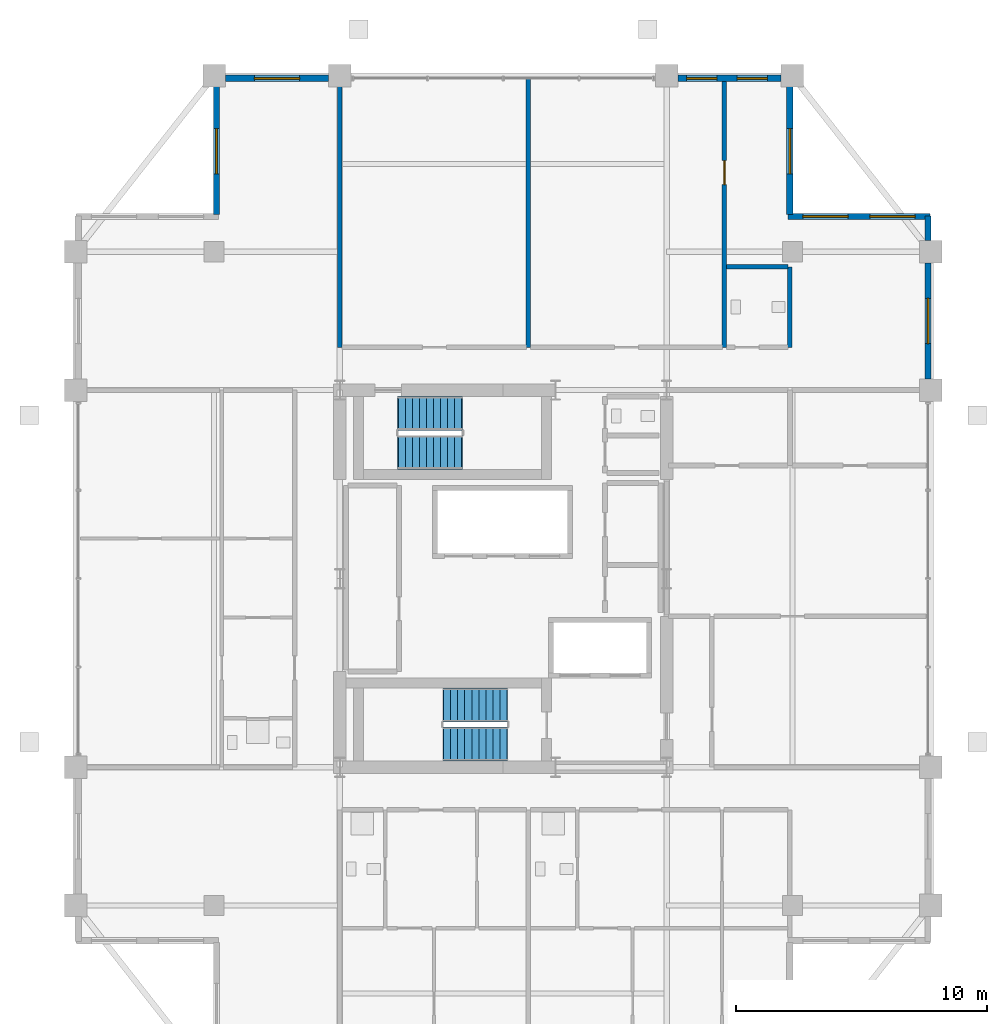
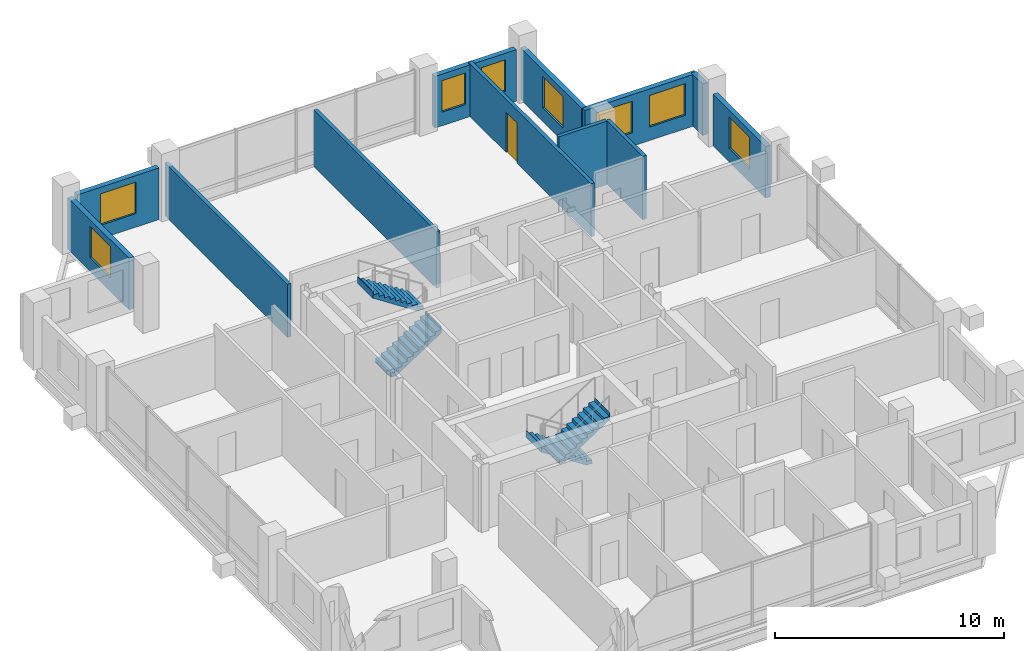
# One storey, part 19 of 21: 12 walls, 8 windows, 4 stair flights, 1 door, 9 openings, 2 elements without a shape of their own.
"""IFC4 building model written with IfcOpenShell, lengths in metres."""

import ifcopenshell
import ifcopenshell.guid

model = None  # the IFC model being written
_history = None  # IfcOwnerHistory: only IFC2X3 demands one
_inside = {}  # id of a spatial element -> (the spatial element, [elements in it])
_under = {}  # id of a project, library or spatial element -> (it, [spatial elements below it])
_declared = {}  # id of a project -> (the project, [libraries it declares])
_typed = {}  # id of a type object -> (the type object, [elements of that type])
_made_of = {}  # id of a material, layer set ... -> (it, [elements and type objects made of it])


def new_model(schema):
    """Start an empty IFC model of exactly this schema.

    Asked for "IFC4X3", IfcOpenShell would pick the latest addendum, in which some entities
    have other attributes; the version numbers below select the first issue.
    IFC2X3 requires an IfcOwnerHistory on every rooted entity: one is made here for all.
    """
    global model, _history
    if schema == "IFC4X3":
        model = ifcopenshell.file(schema_version=(4, 3, 0, 0))
    else:
        model = ifcopenshell.file(schema=schema)
    _inside.clear()
    _under.clear()
    _declared.clear()
    _typed.clear()
    _made_of.clear()
    _history = None
    if model.schema == "IFC2X3":
        org = make("IfcOrganization", Name="unknown")
        user = make(
            "IfcPersonAndOrganization",
            ThePerson=make("IfcPerson", FamilyName="unknown"),
            TheOrganization=org,
        )
        app = make(
            "IfcApplication",
            ApplicationDeveloper=org,
            Version="unknown",
            ApplicationFullName="unknown",
            ApplicationIdentifier="unknown",
        )
        _history = make(
            "IfcOwnerHistory",
            OwningUser=user,
            OwningApplication=app,
            ChangeAction="ADDED",
            CreationDate=0,
        )
    return model


def make(cls, **values):
    """One entity of the class cls with the attributes given. An attribute that is None is left unset."""
    return model.create_entity(
        cls, **{name: value for name, value in values.items() if value is not None}
    )


def rooted(cls, **values):
    """An entity with a GlobalId (a new one), such as an element, a storey or a relation."""
    return make(cls, GlobalId=ifcopenshell.guid.new(), OwnerHistory=_history, **values)


def si_unit(unit_type, name, prefix=None):
    """IfcSIUnit, for example si_unit("LENGTHUNIT", "METRE", prefix="MILLI")."""
    return make("IfcSIUnit", UnitType=unit_type, Prefix=prefix, Name=name)


def assignment(units):
    """IfcUnitAssignment: the units of a project."""
    return None if units is None else make("IfcUnitAssignment", Units=units)


def point(xyz):
    """IfcCartesianPoint."""
    return None if xyz is None else make("IfcCartesianPoint", Coordinates=xyz)


def direction(xyz):
    """IfcDirection."""
    return None if xyz is None else make("IfcDirection", DirectionRatios=xyz)


def frame(location, z_axis=None, x_axis=None):
    """IfcAxis2Placement3D, a coordinate frame: its origin and axes. An axis left out is left unset."""
    return make(
        "IfcAxis2Placement3D",
        Location=point(location),
        Axis=direction(z_axis),
        RefDirection=direction(x_axis),
    )


def frame_2d(location, x_axis=None):
    """IfcAxis2Placement2D, a coordinate frame in the plane: its origin and x axis."""
    return make(
        "IfcAxis2Placement2D", Location=point(location), RefDirection=direction(x_axis)
    )


def origin():
    """The frame at (0, 0, 0) with its axes left unset."""
    return frame((0.0, 0.0, 0.0))


def place(relative_to, where):
    """IfcLocalPlacement: puts the frame where relative to a parent placement (None: the world)."""
    return make(
        "IfcLocalPlacement", PlacementRelTo=relative_to, RelativePlacement=where
    )


def context(
    kind, dimensions, precision=None, world=None, true_north=None, identifier=None
):
    """IfcGeometricRepresentationContext, for example the 3D "Model" context."""
    return make(
        "IfcGeometricRepresentationContext",
        ContextIdentifier=identifier,
        ContextType=kind,
        CoordinateSpaceDimension=dimensions,
        Precision=precision,
        WorldCoordinateSystem=world,
        TrueNorth=true_north,
    )


def subcontext(parent, identifier, kind, view, scale=None):
    """IfcGeometricRepresentationSubContext, for example "Body" below "Model"."""
    return make(
        "IfcGeometricRepresentationSubContext",
        ContextIdentifier=identifier,
        ContextType=kind,
        ParentContext=parent,
        TargetScale=scale,
        TargetView=view,
    )


def project(units=None, contexts=None):
    """IfcProject with its units and contexts."""
    return rooted(
        "IfcProject",
        Name="project",
        RepresentationContexts=contexts,
        UnitsInContext=assignment(units),
    )


def spatial(cls, under=None, at=None, **own):
    """A site, building, storey or space (cls), placed at a placement, below another one or the project."""
    s = rooted(cls, ObjectPlacement=at, **own)
    if under is not None:
        _under.setdefault(under.id(), (under, []))[1].append(s)
    return s


def polyline(points):
    """IfcPolyline through the points."""
    return make("IfcPolyline", Points=[point(p) for p in points])


def profile(cls, at=None, kind="AREA", **sizes):
    """A parametric profile (cls). Its sizes go by their IFC names, for example OverallWidth=200.0."""
    return make(cls, ProfileType=kind, Position=at, **sizes)


def rectangle(**sizes):
    """IfcRectangleProfileDef."""
    return profile("IfcRectangleProfileDef", **sizes)


def outline(outer, holes=None, kind="AREA"):
    """IfcArbitraryClosedProfileDef: a profile drawn as a closed curve; with holes, ...WithVoids."""
    if holes is None:
        return make("IfcArbitraryClosedProfileDef", ProfileType=kind, OuterCurve=outer)
    return make(
        "IfcArbitraryProfileDefWithVoids",
        ProfileType=kind,
        OuterCurve=outer,
        InnerCurves=holes,
    )


def extrude(swept, where, along, depth):
    """IfcExtrudedAreaSolid: the profile swept, set in the frame where, extruded along a direction by depth."""
    return make(
        "IfcExtrudedAreaSolid",
        SweptArea=swept,
        Position=where,
        ExtrudedDirection=direction(along),
        Depth=depth,
    )


def shape(context_of_items, identifier, shape_type, items):
    """IfcShapeRepresentation: the items that make up one representation, for example the "Body"."""
    return make(
        "IfcShapeRepresentation",
        ContextOfItems=context_of_items,
        RepresentationIdentifier=identifier,
        RepresentationType=shape_type,
        Items=items,
    )


def material(Name=None, Category=None):
    """IfcMaterial."""
    return make("IfcMaterial", Name=Name, Category=Category)


def layer(
    of_material, thickness, ventilated=None, Name=None, Category=None, Priority=None
):
    """IfcMaterialLayer: one layer of a wall or slab, of a material (None: an air gap)."""
    return make(
        "IfcMaterialLayer",
        Material=of_material,
        LayerThickness=thickness,
        IsVentilated=ventilated,
        Name=Name,
        Category=Category,
        Priority=Priority,
    )


def layer_set(layers, Name=None):
    """IfcMaterialLayerSet."""
    return make("IfcMaterialLayerSet", MaterialLayers=layers, LayerSetName=Name)


def made_of(thing, what):
    """Note that an element or type object is made of a material, layer set ...; save() writes the relation."""
    if what is not None:
        _made_of.setdefault(what.id(), (what, []))[1].append(thing)
    return thing


def type_object(cls, material=None, **own):
    """A type object (cls), such as IfcWallType, which elements share."""
    return made_of(rooted(cls, **own), material)


def element(
    cls,
    number,
    at=None,
    inside=None,
    cuts=None,
    type_object=None,
    material=None,
    context=None,
    identifier="Body",
    shape_type=None,
    held_by="IfcProductDefinitionShape",
    body=None,
    shapes=None,
    **own,
):
    """One element of the class cls, such as IfcWall. Its Tag is "e" and its number.

    at: its placement. inside: the storey or other place that contains it. cuts: it is an
    opening in that element (IfcRelVoidsElement). A single representation is given by context,
    identifier, shape_type and body (its items); several are given by shapes. held_by: the class
    of the entity that holds the representations. save() writes the other relations.
    """
    e = rooted(cls, Tag="e%d" % number, ObjectPlacement=at, **own)
    if body is not None:
        shapes = [shape(context, identifier, shape_type, body)]
    if shapes is not None:
        e.Representation = make(held_by, Representations=shapes)
    if inside is not None:
        _inside.setdefault(inside.id(), (inside, []))[1].append(e)
    if cuts is not None:
        rooted(
            "IfcRelVoidsElement", RelatingBuildingElement=cuts, RelatedOpeningElement=e
        )
    if type_object is not None:
        _typed.setdefault(type_object.id(), (type_object, []))[1].append(e)
    return made_of(e, material)


def fill(opening, filler):
    """IfcRelFillsElement: the door or window that sits in an opening."""
    return rooted(
        "IfcRelFillsElement",
        RelatingOpeningElement=opening,
        RelatedBuildingElement=filler,
    )


def aggregate(whole, parts):
    """IfcRelAggregates: a whole, such as a stair, and the parts it consists of."""
    return rooted("IfcRelAggregates", RelatingObject=whole, RelatedObjects=parts)


def save(model, path):
    """Write the relations noted so far, then the file.

    IfcRelAggregates (storeys below a building ...), IfcRelContainedInSpatialStructure (elements
    in a storey), IfcRelDefinesByType, IfcRelAssociatesMaterial and IfcRelDeclares: one each for
    every whole, place, type object, material and project.
    """
    for whole, parts in _under.values():
        aggregate(whole, parts)
    for where, things in _inside.values():
        rooted(
            "IfcRelContainedInSpatialStructure",
            RelatedElements=things,
            RelatingStructure=where,
        )
    for kind, things in _typed.values():
        rooted("IfcRelDefinesByType", RelatedObjects=things, RelatingType=kind)
    for what, things in _made_of.values():
        rooted("IfcRelAssociatesMaterial", RelatedObjects=things, RelatingMaterial=what)
    for by, libraries in _declared.values():
        rooted("IfcRelDeclares", RelatingContext=by, RelatedDefinitions=libraries)
    model.write(path)


model = new_model("IFC4")

# Units and contexts
model_context = context("Model", 3, precision=1e-05, world=origin(), true_north=direction((0.0, 1.0)))
body_context = subcontext(model_context, "Body", "Model", "MODEL_VIEW")
ifc_project = project(units=[si_unit("LENGTHUNIT", "METRE"), si_unit("AREAUNIT", "SQUARE_METRE"), si_unit("VOLUMEUNIT", "CUBIC_METRE"), si_unit("PLANEANGLEUNIT", "RADIAN"), si_unit("MASSUNIT", "GRAM", prefix="KILO")], contexts=[model_context])

# Site, building, storey
site_placement = place(None, origin())
site = spatial("IfcSite", under=ifc_project, at=site_placement, CompositionType="ELEMENT")
building_placement = place(site_placement, origin())
building = spatial("IfcBuilding", under=site, at=building_placement, Name="Barlavira Tower and Art Museum", CompositionType="ELEMENT")
storey_placement = place(building_placement, frame((0.0, 0.0, 297.89990234375)))
storey = spatial("IfcBuildingStorey", under=building, at=storey_placement, Name="L78", CompositionType="ELEMENT", Elevation=297.89990234375)

# Walls
ifc_material_1 = material(Name="Gypsum acoustic stud partition", Category="gypsum")
ifc_layer_1 = layer(ifc_material_1, 0.179931640625, Name="Gypsum acoustic stud partition")
ifc_layer_set_1 = layer_set([ifc_layer_1], Name="Gypsum acoustic stud partition")
wall_type_1 = type_object("IfcWallType", Name="Inter-Tenancy Party Partition Wall 180", PredefinedType="PARTITIONING", material=ifc_layer_set_1)
wall_1_placement = place(storey_placement, frame((-6.5, 9.199951171875, 0.0), z_axis=(0.0, 0.0, 1.0), x_axis=(0.0, 1.0, 0.0)))
element("IfcWall", 1, at=wall_1_placement, inside=storey, type_object=wall_type_1, Name="L78 Partition Wall 4", PredefinedType="PARTITIONING", context=body_context, shape_type="SweptSolid", body=[
    extrude(rectangle(XDim=10.699951171875, YDim=0.179931640625, at=frame_2d((5.35009765625, 0.0))), origin(), (0.0, 0.0, 1.0), 2.826171875),
])
wall_2_placement = place(storey_placement, frame((1.0, 9.199951171875, 0.0), z_axis=(0.0, 0.0, 1.0), x_axis=(0.0, 1.0, 0.0)))
element("IfcWall", 2, at=wall_2_placement, inside=storey, type_object=wall_type_1, Name="L78 Partition Wall 11", PredefinedType="PARTITIONING", context=body_context, shape_type="SweptSolid", body=[
    extrude(rectangle(XDim=10.699951171875, YDim=0.179931640625, at=frame_2d((5.35009765625, 0.0))), origin(), (0.0, 0.0, 1.0), 3.01806640625),
])

# Wall, opening, door
wall_3_placement = place(storey_placement, frame((8.800048828125, 9.199951171875, 0.0), z_axis=(0.0, 0.0, 1.0), x_axis=(0.0, 1.0, 0.0)))
wall_3 = element("IfcWall", 3, at=wall_3_placement, inside=storey, type_object=wall_type_1, Name="L78 Partition Wall 20", PredefinedType="PARTITIONING", context=body_context, shape_type="SweptSolid", body=[
    extrude(rectangle(XDim=10.699951171875, YDim=0.179931640625, at=frame_2d((5.35009765625, 0.0))), origin(), (0.0, 0.0, 1.0), 2.826171875),
])
opening_1_placement = place(wall_3_placement, frame((6.47509765625, 0.0, 0.0)))
opening_1 = element("IfcOpeningElement", 4, at=opening_1_placement, cuts=wall_3, Name="Opening FD-60", PredefinedType="OPENING", context=body_context, shape_type="SweptSolid", body=[
    extrude(rectangle(XDim=0.949951171875, YDim=2.14990234375, at=frame_2d((0.47509765625, 1.074951171875))), frame((0.0, 0.10009765625, 0.0), z_axis=(0.0, -1.0, 0.0), x_axis=(1.0, 0.0, 0.0)), (0.0, 0.0, 1.0), 0.199951171875),
])
ifc_material_2 = material(Name="Brushed stainless steel", Category="steel")
door_type = type_object("IfcDoorType", Name="Apartment Entrance and Riser Fire Door 950x2150 FD60S", OperationType="NOTDEFINED", PredefinedType="DOOR", material=ifc_material_2)
door_placement = place(opening_1_placement, origin())
door = element("IfcDoor", 5, at=door_placement, inside=storey, type_object=door_type, Name="Thermal Relaxation Lounge Door", OperationType="SINGLE_SWING_LEFT", OverallHeight=2.14990234375, OverallWidth=0.949951171875, PredefinedType="DOOR", context=body_context, shape_type="SweptSolid", body=[
    extrude(rectangle(XDim=0.949951171875, YDim=2.14990234375, at=frame_2d((0.47509765625, 1.074951171875))), frame((0.0, 0.02490234375, 0.0), z_axis=(0.0, -1.0, 0.0), x_axis=(1.0, 0.0, 0.0)), (0.0, 0.0, 1.0), 0.050048828125),
])
fill(opening_1, door)

# Walls
wall_4_placement = place(storey_placement, frame((11.39990234375, 9.199951171875, 0.0), z_axis=(0.0, 0.0, 1.0), x_axis=(0.0, 1.0, 0.0)))
element("IfcWall", 6, at=wall_4_placement, inside=storey, type_object=wall_type_1, Name="L78 Partition Wall 23", PredefinedType="PARTITIONING", context=body_context, shape_type="SweptSolid", body=[
    extrude(rectangle(XDim=3.199951171875, YDim=0.179931640625, at=frame_2d((1.60009765625, 0.0))), origin(), (0.0, 0.0, 1.0), 3.380126953125),
])
wall_5_placement = place(storey_placement, frame((8.8798828125, 12.39990234375, 0.0), z_axis=(0.0, 0.0, 1.0), x_axis=(1.0, 0.0, 0.0)))
element("IfcWall", 7, at=wall_5_placement, inside=storey, type_object=wall_type_1, Name="L78 Partition Wall 63", PredefinedType="PARTITIONING", context=body_context, shape_type="SweptSolid", body=[
    extrude(rectangle(XDim=2.440185546875, YDim=0.179931640625, at=frame_2d((1.22021484375, 0.0))), origin(), (0.0, 0.0, 1.0), 3.380126953125),
])

# Wall, openings, windows
ifc_material_3 = material(Name="Precast concrete C40", Category="concrete")
ifc_layer_2 = layer(ifc_material_3, 0.25, Name="Precast concrete C40")
ifc_layer_set_2 = layer_set([ifc_layer_2], Name="Precast concrete C40")
wall_type_2 = type_object("IfcWallType", Name="Notched Corner Spandrel Wall 250 Precast Concrete C40", PredefinedType="SOLIDWALL", material=ifc_layer_set_2)
wall_6_placement = place(storey_placement, frame((11.054931640625, 19.89990234375, 0.0), z_axis=(0.0, 0.0, 1.0), x_axis=(-1.0, 0.0, 0.0)))
wall_6 = element("IfcWall", 8, at=wall_6_placement, inside=storey, type_object=wall_type_2, Name="L78 Coastal Facade Pier Wall CW4-L78-N-1", PredefinedType="SOLIDWALL", context=body_context, shape_type="SweptSolid", body=[
    extrude(rectangle(XDim=4.10986328125, YDim=0.25, at=frame_2d((2.054931640625, 0.0))), origin(), (0.0, 0.0, 1.0), 2.748046875),
])
opening_2_placement = place(wall_6_placement, frame((0.550048828125, 0.0, 0.719970703125)))
opening_2 = element("IfcOpeningElement", 9, at=opening_2_placement, cuts=wall_6, Name="Opening WN-05", PredefinedType="OPENING", context=body_context, shape_type="SweptSolid", body=[
    extrude(rectangle(XDim=1.199951171875, YDim=1.679931640625, at=frame_2d((0.60009765625, 0.83984375))), frame((0.0, 0.135009765625, 0.0), z_axis=(0.0, -1.0, 0.0), x_axis=(1.0, 0.0, 0.0)), (0.0, 0.0, 1.0), 0.27001953125),
])
opening_3_placement = place(wall_6_placement, frame((2.56005859375, 0.0, 0.719970703125)))
opening_3 = element("IfcOpeningElement", 10, at=opening_3_placement, cuts=wall_6, Name="Opening WN-05", PredefinedType="OPENING", context=body_context, shape_type="SweptSolid", body=[
    extrude(rectangle(XDim=1.199951171875, YDim=1.679931640625, at=frame_2d((0.60009765625, 0.83984375))), frame((0.0, 0.135009765625, 0.0), z_axis=(0.0, -1.0, 0.0), x_axis=(1.0, 0.0, 0.0)), (0.0, 0.0, 1.0), 0.27001953125),
])
ifc_material_4 = material(Name="Low-iron coastal laminated glass", Category="glass")
window_type_1 = type_object("IfcWindowType", Name="Recessed Flank Pier Punch Window 1200x1680", PartitioningType="SINGLE_PANEL", PredefinedType="WINDOW", material=ifc_material_4)
window_1_placement = place(opening_2_placement, origin())
window_1 = element("IfcWindow", 11, at=window_1_placement, inside=storey, type_object=window_type_1, Name="L78 Punched Facade Window EWP-CW4-L78-N-1-1", OverallHeight=1.679931640625, OverallWidth=1.199951171875, PartitioningType="SINGLE_PANEL", PredefinedType="WINDOW", context=body_context, shape_type="SweptSolid", body=[
    extrude(rectangle(XDim=1.199951171875, YDim=1.679931640625, at=frame_2d((0.60009765625, 0.83984375))), frame((0.0, 0.030029296875, 0.0), z_axis=(0.0, -1.0, 0.0), x_axis=(1.0, 0.0, 0.0)), (0.0, 0.0, 1.0), 0.06005859375),
])
fill(opening_2, window_1)
window_2_placement = place(opening_3_placement, origin())
window_2 = element("IfcWindow", 12, at=window_2_placement, inside=storey, type_object=window_type_1, Name="L78 Punched Facade Window EWP-CW4-L78-N-1-2", OverallHeight=1.679931640625, OverallWidth=1.199951171875, PartitioningType="SINGLE_PANEL", PredefinedType="WINDOW", context=body_context, shape_type="SweptSolid", body=[
    extrude(rectangle(XDim=1.199951171875, YDim=1.679931640625, at=frame_2d((0.60009765625, 0.83984375))), frame((0.0, 0.030029296875, 0.0), z_axis=(0.0, -1.0, 0.0), x_axis=(1.0, 0.0, 0.0)), (0.0, 0.0, 1.0), 0.06005859375),
])
fill(opening_3, window_2)

# Wall, opening, window
wall_7_placement = place(storey_placement, frame((-6.945068359375, 19.89990234375, 0.0), z_axis=(0.0, 0.0, 1.0), x_axis=(-1.0, 0.0, 0.0)))
wall_7 = element("IfcWall", 13, at=wall_7_placement, inside=storey, type_object=wall_type_2, Name="L78 Coastal Facade Pier Wall CW4-L78-N-3", PredefinedType="SOLIDWALL", context=body_context, shape_type="SweptSolid", body=[
    extrude(rectangle(XDim=4.10986328125, YDim=0.25, at=frame_2d((2.054931640625, 0.0))), origin(), (0.0, 0.0, 1.0), 2.748046875),
])
opening_4_placement = place(wall_7_placement, frame((1.155029296875, 0.0, 0.719970703125)))
opening_4 = element("IfcOpeningElement", 14, at=opening_4_placement, cuts=wall_7, Name="Opening WN-01", PredefinedType="OPENING", context=body_context, shape_type="SweptSolid", body=[
    extrude(rectangle(XDim=1.800048828125, YDim=1.679931640625, at=frame_2d((0.89990234375, 0.83984375))), frame((0.0, 0.135009765625, 0.0), z_axis=(0.0, -1.0, 0.0), x_axis=(1.0, 0.0, 0.0)), (0.0, 0.0, 1.0), 0.27001953125),
])
window_type_2 = type_object("IfcWindowType", Name="Recessed Notch Corner Punch Window 1800x1680", PartitioningType="SINGLE_PANEL", PredefinedType="WINDOW", material=ifc_material_4)
window_3_placement = place(opening_4_placement, origin())
window_3 = element("IfcWindow", 15, at=window_3_placement, inside=storey, type_object=window_type_2, Name="L78 Punched Facade Window EWP-CW4-L78-N-3-1", OverallHeight=1.679931640625, OverallWidth=1.800048828125, PartitioningType="SINGLE_PANEL", PredefinedType="WINDOW", context=body_context, shape_type="SweptSolid", body=[
    extrude(rectangle(XDim=1.800048828125, YDim=1.679931640625, at=frame_2d((0.89990234375, 0.83984375))), frame((0.0, 0.030029296875, 0.0), z_axis=(0.0, -1.0, 0.0), x_axis=(1.0, 0.0, 0.0)), (0.0, 0.0, 1.0), 0.06005859375),
])
fill(opening_4, window_3)

wall_8_placement = place(storey_placement, frame((16.89990234375, 7.945068359375, 0.0), z_axis=(0.0, 0.0, 1.0), x_axis=(0.0, 1.0, 0.0)))
wall_8 = element("IfcWall", 16, at=wall_8_placement, inside=storey, type_object=wall_type_2, Name="L78 Coastal Facade Pier Wall CW4-L78-E-4", PredefinedType="SOLIDWALL", context=body_context, shape_type="SweptSolid", body=[
    extrude(rectangle(XDim=4.60986328125, YDim=0.25, at=frame_2d((2.304931640625, 0.0))), origin(), (0.0, 0.0, 1.0), 2.748046875),
])
opening_5_placement = place(wall_8_placement, frame((1.405029296875, 0.0, 0.719970703125)))
opening_5 = element("IfcOpeningElement", 17, at=opening_5_placement, cuts=wall_8, Name="Opening WN-01", PredefinedType="OPENING", context=body_context, shape_type="SweptSolid", body=[
    extrude(rectangle(XDim=1.800048828125, YDim=1.679931640625, at=frame_2d((0.89990234375, 0.83984375))), frame((0.0, 0.135009765625, 0.0), z_axis=(0.0, -1.0, 0.0), x_axis=(1.0, 0.0, 0.0)), (0.0, 0.0, 1.0), 0.27001953125),
])
window_4_placement = place(opening_5_placement, origin())
window_4 = element("IfcWindow", 18, at=window_4_placement, inside=storey, type_object=window_type_2, Name="L78 Punched Facade Window EWP-CW4-L78-E-4-1", OverallHeight=1.679931640625, OverallWidth=1.800048828125, PartitioningType="SINGLE_PANEL", PredefinedType="WINDOW", context=body_context, shape_type="SweptSolid", body=[
    extrude(rectangle(XDim=1.800048828125, YDim=1.679931640625, at=frame_2d((0.89990234375, 0.83984375))), frame((0.0, 0.030029296875, 0.0), z_axis=(0.0, -1.0, 0.0), x_axis=(1.0, 0.0, 0.0)), (0.0, 0.0, 1.0), 0.06005859375),
])
fill(opening_5, window_4)

# Wall
wall_9_placement = place(storey_placement, frame((16.89990234375, 13.445068359375, 0.0), z_axis=(0.0, 0.0, 1.0), x_axis=(0.0, 1.0, 0.0)))
element("IfcWall", 19, at=wall_9_placement, inside=storey, type_object=wall_type_2, Name="L78 Coastal Facade Pier Wall CW4-L78-E-5", PredefinedType="SOLIDWALL", context=body_context, shape_type="SweptSolid", body=[
    extrude(rectangle(XDim=0.97998046875, YDim=0.25, at=frame_2d((0.489990234375, 0.0))), origin(), (0.0, 0.0, 1.0), 2.748046875),
])

# Wall, openings, windows
wall_10_placement = place(storey_placement, frame((16.97998046875, 14.39990234375, 0.0), z_axis=(0.0, 0.0, 1.0), x_axis=(-1.0, 0.0, 0.0)))
wall_10 = element("IfcWall", 20, at=wall_10_placement, inside=storey, type_object=wall_type_2, Name="L78 Notch Corner Wall NE1", PredefinedType="SOLIDWALL", context=body_context, shape_type="SweptSolid", body=[
    extrude(rectangle(XDim=5.659912109375, YDim=0.25, at=frame_2d((2.830078125, 0.0))), origin(), (0.0, 0.0, 1.0), 2.748046875),
])
opening_6_placement = place(wall_10_placement, frame((0.594970703125, 0.0, 0.719970703125)))
opening_6 = element("IfcOpeningElement", 21, at=opening_6_placement, cuts=wall_10, Name="Opening WN-01", PredefinedType="OPENING", context=body_context, shape_type="SweptSolid", body=[
    extrude(rectangle(XDim=1.800048828125, YDim=1.679931640625, at=frame_2d((0.89990234375, 0.83984375))), frame((0.0, 0.135009765625, 0.0), z_axis=(0.0, -1.0, 0.0), x_axis=(1.0, 0.0, 0.0)), (0.0, 0.0, 1.0), 0.27001953125),
])
opening_7_placement = place(wall_10_placement, frame((3.264892578125, 0.0, 0.719970703125)))
opening_7 = element("IfcOpeningElement", 22, at=opening_7_placement, cuts=wall_10, Name="Opening WN-01", PredefinedType="OPENING", context=body_context, shape_type="SweptSolid", body=[
    extrude(rectangle(XDim=1.800048828125, YDim=1.679931640625, at=frame_2d((0.89990234375, 0.83984375))), frame((0.0, 0.135009765625, 0.0), z_axis=(0.0, -1.0, 0.0), x_axis=(1.0, 0.0, 0.0)), (0.0, 0.0, 1.0), 0.27001953125),
])
window_5_placement = place(opening_6_placement, origin())
window_5 = element("IfcWindow", 23, at=window_5_placement, inside=storey, type_object=window_type_2, Name="L78 Punched Facade Window EW-NTC-L78-NE1-1", OverallHeight=1.679931640625, OverallWidth=1.800048828125, PartitioningType="SINGLE_PANEL", PredefinedType="WINDOW", context=body_context, shape_type="SweptSolid", body=[
    extrude(rectangle(XDim=1.800048828125, YDim=1.679931640625, at=frame_2d((0.89990234375, 0.83984375))), frame((0.0, 0.030029296875, 0.0), z_axis=(0.0, -1.0, 0.0), x_axis=(1.0, 0.0, 0.0)), (0.0, 0.0, 1.0), 0.06005859375),
])
fill(opening_6, window_5)
window_6_placement = place(opening_7_placement, origin())
window_6 = element("IfcWindow", 24, at=window_6_placement, inside=storey, type_object=window_type_2, Name="L78 Punched Facade Window EW-NTC-L78-NE1-2", OverallHeight=1.679931640625, OverallWidth=1.800048828125, PartitioningType="SINGLE_PANEL", PredefinedType="WINDOW", context=body_context, shape_type="SweptSolid", body=[
    extrude(rectangle(XDim=1.800048828125, YDim=1.679931640625, at=frame_2d((0.89990234375, 0.83984375))), frame((0.0, 0.030029296875, 0.0), z_axis=(0.0, -1.0, 0.0), x_axis=(1.0, 0.0, 0.0)), (0.0, 0.0, 1.0), 0.06005859375),
])
fill(opening_7, window_6)

# Wall, opening, window
wall_11_placement = place(storey_placement, frame((11.39990234375, 14.47998046875, 0.0), z_axis=(0.0, 0.0, 1.0), x_axis=(0.0, 1.0, 0.0)))
wall_11 = element("IfcWall", 25, at=wall_11_placement, inside=storey, type_object=wall_type_2, Name="L78 Notch Corner Wall NE2", PredefinedType="SOLIDWALL", context=body_context, shape_type="SweptSolid", body=[
    extrude(rectangle(XDim=5.340087890625, YDim=0.25, at=frame_2d((2.669921875, 0.0))), origin(), (0.0, 0.0, 1.0), 2.748046875),
])
opening_8_placement = place(wall_11_placement, frame((1.614990234375, 0.0, 0.719970703125)))
opening_8 = element("IfcOpeningElement", 26, at=opening_8_placement, cuts=wall_11, Name="Opening WN-01", PredefinedType="OPENING", context=body_context, shape_type="SweptSolid", body=[
    extrude(rectangle(XDim=1.800048828125, YDim=1.679931640625, at=frame_2d((0.89990234375, 0.83984375))), frame((0.0, 0.135009765625, 0.0), z_axis=(0.0, -1.0, 0.0), x_axis=(1.0, 0.0, 0.0)), (0.0, 0.0, 1.0), 0.27001953125),
])
window_7_placement = place(opening_8_placement, origin())
window_7 = element("IfcWindow", 27, at=window_7_placement, inside=storey, type_object=window_type_2, Name="L78 Punched Facade Window EW-NTC-L78-NE2-1", OverallHeight=1.679931640625, OverallWidth=1.800048828125, PartitioningType="SINGLE_PANEL", PredefinedType="WINDOW", context=body_context, shape_type="SweptSolid", body=[
    extrude(rectangle(XDim=1.800048828125, YDim=1.679931640625, at=frame_2d((0.89990234375, 0.83984375))), frame((0.0, 0.030029296875, 0.0), z_axis=(0.0, -1.0, 0.0), x_axis=(1.0, 0.0, 0.0)), (0.0, 0.0, 1.0), 0.06005859375),
])
fill(opening_8, window_7)

wall_12_placement = place(storey_placement, frame((-11.39990234375, 19.820068359375, 0.0), z_axis=(0.0, 0.0, 1.0), x_axis=(0.0, -1.0, 0.0)))
wall_12 = element("IfcWall", 28, at=wall_12_placement, inside=storey, type_object=wall_type_2, Name="L78 Notch Corner Wall NW1", PredefinedType="SOLIDWALL", context=body_context, shape_type="SweptSolid", body=[
    extrude(rectangle(XDim=5.340087890625, YDim=0.25, at=frame_2d((2.669921875, 0.0))), origin(), (0.0, 0.0, 1.0), 2.748046875),
])
opening_9_placement = place(wall_12_placement, frame((1.925048828125, 0.0, 0.719970703125)))
opening_9 = element("IfcOpeningElement", 29, at=opening_9_placement, cuts=wall_12, Name="Opening WN-01", PredefinedType="OPENING", context=body_context, shape_type="SweptSolid", body=[
    extrude(rectangle(XDim=1.800048828125, YDim=1.679931640625, at=frame_2d((0.89990234375, 0.83984375))), frame((0.0, 0.135009765625, 0.0), z_axis=(0.0, -1.0, 0.0), x_axis=(1.0, 0.0, 0.0)), (0.0, 0.0, 1.0), 0.27001953125),
])
window_8_placement = place(opening_9_placement, origin())
window_8 = element("IfcWindow", 30, at=window_8_placement, inside=storey, type_object=window_type_2, Name="L78 Punched Facade Window EW-NTC-L78-NW1-1", OverallHeight=1.679931640625, OverallWidth=1.800048828125, PartitioningType="SINGLE_PANEL", PredefinedType="WINDOW", context=body_context, shape_type="SweptSolid", body=[
    extrude(rectangle(XDim=1.800048828125, YDim=1.679931640625, at=frame_2d((0.89990234375, 0.83984375))), frame((0.0, 0.030029296875, 0.0), z_axis=(0.0, -1.0, 0.0), x_axis=(1.0, 0.0, 0.0)), (0.0, 0.0, 1.0), 0.06005859375),
])
fill(opening_9, window_8)

# Stair, stair flights
ifc_material_5 = material(Name="Concrete C45", Category="concrete")
stair_type_1 = type_object("IfcStairType", Name="Tower North Dog-Leg Exit Stair Assembly Concrete C45", PredefinedType="TWO_QUARTER_TURN_STAIR", material=ifc_material_5)
stair_1_placement = place(storey_placement, origin())
stair_1 = element("IfcStair", 31, at=stair_1_placement, inside=storey, type_object=stair_type_1, Name="L78 Tower North Exit Stair ST-T2", PredefinedType="TWO_QUARTER_TURN_STAIR")
ifc_material_6 = material(Name="Precast concrete C45", Category="concrete")
stair_flight_type_1 = type_object("IfcStairFlightType", Name="Tower North Dog-Leg Exit Stair Precast Flight 1350 Concrete C45", PredefinedType="STRAIGHT", material=ifc_material_6)
stair_flight_1_placement = place(storey_placement, frame((-4.169921875, 5.02490234375, 0.0), z_axis=(0.0, 0.0, 1.0), x_axis=(1.0, 0.0, 0.0)))
stair_flight_1 = element("IfcStairFlight", 32, at=stair_flight_1_placement, type_object=stair_flight_type_1, Name="ST-T2 flight 1", NumberOfRisers=10, NumberOfTreads=9, PredefinedType="STRAIGHT", RiserHeight=0.18, TreadLength=0.28, context=body_context, shape_type="SweptSolid", body=[
    extrude(outline(polyline([(-0.02490234375, 0.0), (0.0, 0.0), (0.0, 0.179931640625), (0.280029296875, 0.179931640625), (0.280029296875, 0.360107421875), (0.56005859375, 0.360107421875), (0.56005859375, 0.5400390625), (0.840087890625, 0.5400390625), (0.840087890625, 0.719970703125), (1.1201171875, 0.719970703125), (1.1201171875, 0.89990234375), (1.39990234375, 0.89990234375), (1.39990234375, 1.080078125), (1.679931640625, 1.080078125), (1.679931640625, 1.260009765625), (1.9599609375, 1.260009765625), (1.9599609375, 1.43994140625), (2.239990234375, 1.43994140625), (2.239990234375, 1.6201171875), (2.52001953125, 1.6201171875), (2.52001953125, 1.800048828125), (2.544921875, 1.800048828125), (2.544921875, 1.44189453125), (2.52001953125, 1.44189453125), (0.277099609375, -0.02490234375), (-0.02490234375, -0.02490234375), (-0.02490234375, 0.0)])), frame((0.0, 0.675048828125, 0.0), z_axis=(0.0, -1.0, 0.0), x_axis=(1.0, 0.0, 0.0)), (0.0, 0.0, 1.0), 1.35009765625),
])
stair_flight_2_placement = place(storey_placement, frame((-1.64990234375, 6.574951171875, 1.800048828125), z_axis=(0.0, 0.0, 1.0), x_axis=(-1.0, 0.0, 0.0)))
stair_flight_2 = element("IfcStairFlight", 33, at=stair_flight_2_placement, type_object=stair_flight_type_1, Name="ST-T2 flight 2", NumberOfRisers=10, NumberOfTreads=9, PredefinedType="STRAIGHT", RiserHeight=0.18, TreadLength=0.28, context=body_context, shape_type="SweptSolid", body=[
    extrude(outline(polyline([(-0.02490234375, 0.0), (0.0, 0.0), (0.0, 0.179931640625), (0.280029296875, 0.179931640625), (0.280029296875, 0.360107421875), (0.56005859375, 0.360107421875), (0.56005859375, 0.5400390625), (0.840087890625, 0.5400390625), (0.840087890625, 0.719970703125), (1.1201171875, 0.719970703125), (1.1201171875, 0.89990234375), (1.39990234375, 0.89990234375), (1.39990234375, 1.080078125), (1.679931640625, 1.080078125), (1.679931640625, 1.260009765625), (1.9599609375, 1.260009765625), (1.9599609375, 1.43994140625), (2.239990234375, 1.43994140625), (2.239990234375, 1.6201171875), (2.52001953125, 1.6201171875), (2.52001953125, 1.800048828125), (2.544921875, 1.800048828125), (2.544921875, 1.44189453125), (2.52001953125, 1.44189453125), (0.277099609375, -0.02490234375), (-0.02490234375, -0.02490234375), (-0.02490234375, 0.0)])), frame((0.0, 0.675048828125, 0.0), z_axis=(0.0, -1.0, 0.0), x_axis=(1.0, 0.0, 0.0)), (0.0, 0.0, 1.0), 1.35009765625),
])
aggregate(stair_1, [stair_flight_1, stair_flight_2])

stair_type_2 = type_object("IfcStairType", Name="Tower South Dog-Leg Exit Stair Assembly Concrete C45", PredefinedType="TWO_QUARTER_TURN_STAIR", material=ifc_material_5)
stair_2_placement = place(storey_placement, origin())
stair_2 = element("IfcStair", 34, at=stair_2_placement, inside=storey, type_object=stair_type_2, Name="L78 Tower South Exit Stair ST-T1", PredefinedType="TWO_QUARTER_TURN_STAIR")
stair_flight_type_2 = type_object("IfcStairFlightType", Name="Tower South Dog-Leg Exit Stair Precast Flight 1350 Concrete C45", PredefinedType="STRAIGHT", material=ifc_material_6)
stair_flight_3_placement = place(storey_placement, frame((0.14990234375, -5.02490234375, 0.0), z_axis=(0.0, 0.0, 1.0), x_axis=(-1.0, 0.0, 0.0)))
stair_flight_3 = element("IfcStairFlight", 35, at=stair_flight_3_placement, type_object=stair_flight_type_2, Name="ST-T1 flight 1", NumberOfRisers=10, NumberOfTreads=9, PredefinedType="STRAIGHT", RiserHeight=0.18, TreadLength=0.28, context=body_context, shape_type="SweptSolid", body=[
    extrude(outline(polyline([(-0.02490234375, 0.0), (0.0, 0.0), (0.0, 0.179931640625), (0.280029296875, 0.179931640625), (0.280029296875, 0.360107421875), (0.56005859375, 0.360107421875), (0.56005859375, 0.5400390625), (0.840087890625, 0.5400390625), (0.840087890625, 0.719970703125), (1.1201171875, 0.719970703125), (1.1201171875, 0.89990234375), (1.39990234375, 0.89990234375), (1.39990234375, 1.080078125), (1.679931640625, 1.080078125), (1.679931640625, 1.260009765625), (1.9599609375, 1.260009765625), (1.9599609375, 1.43994140625), (2.239990234375, 1.43994140625), (2.239990234375, 1.6201171875), (2.52001953125, 1.6201171875), (2.52001953125, 1.800048828125), (2.544921875, 1.800048828125), (2.544921875, 1.44189453125), (2.52001953125, 1.44189453125), (0.277099609375, -0.02490234375), (-0.02490234375, -0.02490234375), (-0.02490234375, 0.0)])), frame((0.0, 0.675048828125, 0.0), z_axis=(0.0, -1.0, 0.0), x_axis=(1.0, 0.0, 0.0)), (0.0, 0.0, 1.0), 1.35009765625),
])
stair_flight_4_placement = place(storey_placement, frame((-2.3701171875, -6.574951171875, 1.800048828125), z_axis=(0.0, 0.0, 1.0), x_axis=(1.0, 0.0, 0.0)))
stair_flight_4 = element("IfcStairFlight", 36, at=stair_flight_4_placement, type_object=stair_flight_type_2, Name="ST-T1 flight 2", NumberOfRisers=10, NumberOfTreads=9, PredefinedType="STRAIGHT", RiserHeight=0.18, TreadLength=0.28, context=body_context, shape_type="SweptSolid", body=[
    extrude(outline(polyline([(-0.02490234375, 0.0), (0.0, 0.0), (0.0, 0.179931640625), (0.280029296875, 0.179931640625), (0.280029296875, 0.360107421875), (0.56005859375, 0.360107421875), (0.56005859375, 0.5400390625), (0.840087890625, 0.5400390625), (0.840087890625, 0.719970703125), (1.1201171875, 0.719970703125), (1.1201171875, 0.89990234375), (1.39990234375, 0.89990234375), (1.39990234375, 1.080078125), (1.679931640625, 1.080078125), (1.679931640625, 1.260009765625), (1.9599609375, 1.260009765625), (1.9599609375, 1.43994140625), (2.239990234375, 1.43994140625), (2.239990234375, 1.6201171875), (2.52001953125, 1.6201171875), (2.52001953125, 1.800048828125), (2.544921875, 1.800048828125), (2.544921875, 1.44189453125), (2.52001953125, 1.44189453125), (0.277099609375, -0.02490234375), (-0.02490234375, -0.02490234375), (-0.02490234375, 0.0)])), frame((0.0, 0.675048828125, 0.0), z_axis=(0.0, -1.0, 0.0), x_axis=(1.0, 0.0, 0.0)), (0.0, 0.0, 1.0), 1.35009765625),
])
aggregate(stair_2, [stair_flight_3, stair_flight_4])

save(model, "model.ifc")
